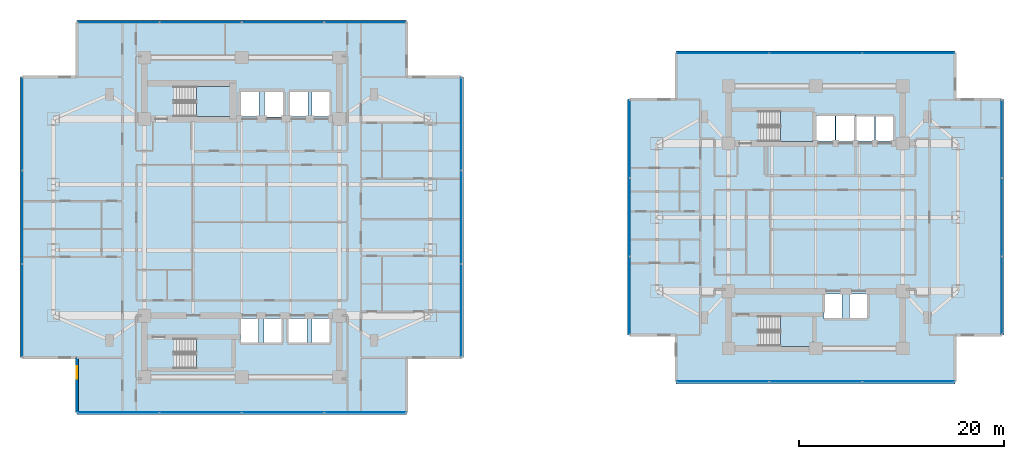
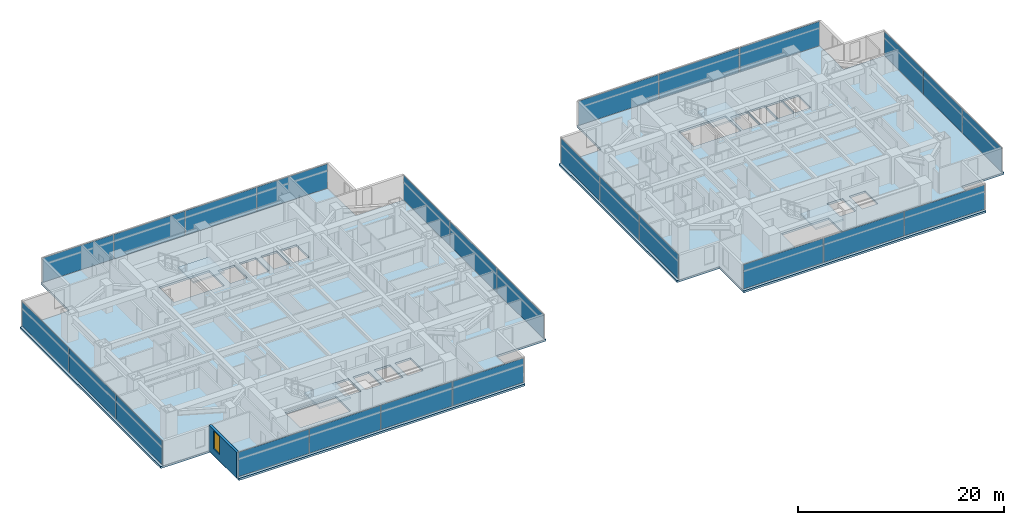
# One storey, part 11 of 24: 26 plates, 6 slabs, 1 wall, 1 window, 1 opening, 12 elements without a shape of their own.
"""IFC4 building model written with IfcOpenShell, lengths in metres."""

from ifc_helpers import new_model, si_unit, direction, frame, frame_2d, origin, origin_2d, place, context, subcontext, project, spatial, polyline, rectangle, outline, extrude, material, layer, layer_set, type_object, element, fill, aggregate, save


model = new_model("IFC4")

# Units and contexts
model_context = context("Model", 3, precision=1e-05, world=origin(), true_north=direction((0.0, 1.0)))
body_context = subcontext(model_context, "Body", "Model", "MODEL_VIEW")
ifc_project = project(units=[si_unit("LENGTHUNIT", "METRE"), si_unit("AREAUNIT", "SQUARE_METRE"), si_unit("VOLUMEUNIT", "CUBIC_METRE"), si_unit("PLANEANGLEUNIT", "RADIAN"), si_unit("MASSUNIT", "GRAM", prefix="KILO")], contexts=[model_context])

# Site, building, storey
site_placement = place(None, origin())
site = spatial("IfcSite", under=ifc_project, at=site_placement, CompositionType="ELEMENT")
building_placement = place(site_placement, origin())
building = spatial("IfcBuilding", under=site, at=building_placement, Name="Mirazonda Arch Towers", CompositionType="ELEMENT")
storey_placement = place(building_placement, frame((0.0, 0.0, 62.0)))
storey = spatial("IfcBuildingStorey", under=building, at=storey_placement, Name="L17", CompositionType="ELEMENT", Elevation=62.0)

# Curtain wall, plates
ifc_material_1 = material(Name="Anodised Aluminium and Low-E Glass", Category="aluminium")
curtain_wall_type = type_object("IfcCurtainWallType", Name="CW-HTL-UNIT", PredefinedType="NOTDEFINED", material=ifc_material_1)
curtain_wall_1_placement = place(storey_placement, origin())
curtain_wall_1 = element("IfcCurtainWall", 1, at=curtain_wall_1_placement, inside=storey, type_object=curtain_wall_type, Name="L17 T1 S Facade CW-L17-T1-S", PredefinedType="NOTDEFINED")
ifc_material_2 = material(Name="Insulated Low-E Solar Glass", Category="glass")
ifc_layer_1 = layer(ifc_material_2, 0.035888671875, Name="PAN-CW-HTL-UNIT")
ifc_layer_set_1 = layer_set([ifc_layer_1], Name="Insulated Low-E Solar Glass")
plate_type = type_object("IfcPlateType", Name="PAN-CW-HTL-UNIT", PredefinedType="CURTAIN_PANEL", material=ifc_layer_set_1)
plate_1_placement = place(storey_placement, frame((32.541259765625, 8.966064453125, 0.0751953125), z_axis=(0.0, 0.0, 1.0), x_axis=(-1.0, 0.0, 0.0)))
plate_1 = element("IfcPlate", 2, at=plate_1_placement, type_object=plate_type, Name="CW-112 panel 1.1", PredefinedType="CURTAIN_PANEL", context=body_context, shape_type="SweptSolid", body=[
    extrude(rectangle(XDim=7.927490234375, YDim=0.035888671875, at=origin_2d()), origin(), (0.0, 0.0, 1.0), 2.889892578125),
])
plate_2_placement = place(storey_placement, frame((24.52001953125, 8.966064453125, 0.0751953125), z_axis=(0.0, 0.0, 1.0), x_axis=(-1.0, 0.0, 0.0)))
plate_2 = element("IfcPlate", 3, at=plate_2_placement, type_object=plate_type, Name="CW-112 panel 2.1", PredefinedType="CURTAIN_PANEL", context=body_context, shape_type="SweptSolid", body=[
    extrude(rectangle(XDim=7.965087890625, YDim=0.035888671875, at=origin_2d()), origin(), (0.0, 0.0, 1.0), 2.889892578125),
])
plate_3_placement = place(storey_placement, frame((16.47998046875, 8.966064453125, 0.0751953125), z_axis=(0.0, 0.0, 1.0), x_axis=(-1.0, 0.0, 0.0)))
plate_3 = element("IfcPlate", 4, at=plate_3_placement, type_object=plate_type, Name="CW-112 panel 3.1", PredefinedType="CURTAIN_PANEL", context=body_context, shape_type="SweptSolid", body=[
    extrude(rectangle(XDim=7.965087890625, YDim=0.035888671875, at=origin_2d()), origin(), (0.0, 0.0, 1.0), 2.889892578125),
])
plate_4_placement = place(storey_placement, frame((8.458740234375, 8.966064453125, 0.0751953125), z_axis=(0.0, 0.0, 1.0), x_axis=(-1.0, 0.0, 0.0)))
plate_4 = element("IfcPlate", 5, at=plate_4_placement, type_object=plate_type, Name="CW-112 panel 4.1", PredefinedType="CURTAIN_PANEL", context=body_context, shape_type="SweptSolid", body=[
    extrude(rectangle(XDim=7.927490234375, YDim=0.035888671875, at=origin_2d()), origin(), (0.0, 0.0, 1.0), 2.889892578125),
])
aggregate(curtain_wall_1, [plate_1, plate_2, plate_3, plate_4])

curtain_wall_2_placement = place(storey_placement, origin())
curtain_wall_2 = element("IfcCurtainWall", 6, at=curtain_wall_2_placement, inside=storey, type_object=curtain_wall_type, Name="L17 T1 E Facade CW-L17-T1-E", PredefinedType="NOTDEFINED")
plate_5_placement = place(storey_placement, frame((41.919921875, 18.889404296875, 0.0751953125), z_axis=(0.0, 0.0, 1.0), x_axis=(0.0, 1.0, 0.0)))
plate_5 = element("IfcPlate", 7, at=plate_5_placement, type_object=plate_type, Name="CW-112 panel 1.1", PredefinedType="CURTAIN_PANEL", context=body_context, shape_type="SweptSolid", body=[
    extrude(rectangle(XDim=9.016845703125, YDim=0.035888671875, at=origin_2d()), origin(), (0.0, 0.0, 1.0), 2.889892578125),
])
plate_6_placement = place(storey_placement, frame((41.919921875, 28.0, 0.0751953125), z_axis=(0.0, 0.0, 1.0), x_axis=(0.0, 1.0, 0.0)))
plate_6 = element("IfcPlate", 8, at=plate_6_placement, type_object=plate_type, Name="CW-112 panel 2.1", PredefinedType="CURTAIN_PANEL", context=body_context, shape_type="SweptSolid", body=[
    extrude(rectangle(XDim=9.054443359375, YDim=0.035888671875, at=origin_2d()), origin(), (0.0, 0.0, 1.0), 2.889892578125),
])
plate_7_placement = place(storey_placement, frame((41.919921875, 37.110595703125, 0.0751953125), z_axis=(0.0, 0.0, 1.0), x_axis=(0.0, 1.0, 0.0)))
plate_7 = element("IfcPlate", 9, at=plate_7_placement, type_object=plate_type, Name="CW-112 panel 3.1", PredefinedType="CURTAIN_PANEL", context=body_context, shape_type="SweptSolid", body=[
    extrude(rectangle(XDim=9.016845703125, YDim=0.035888671875, at=origin_2d()), origin(), (0.0, 0.0, 1.0), 2.889892578125),
])
aggregate(curtain_wall_2, [plate_5, plate_6, plate_7])

curtain_wall_3_placement = place(storey_placement, origin())
curtain_wall_3 = element("IfcCurtainWall", 10, at=curtain_wall_3_placement, inside=storey, type_object=curtain_wall_type, Name="L17 T1 N Facade CW-L17-T1-N", PredefinedType="NOTDEFINED")
plate_8_placement = place(storey_placement, frame((8.458740234375, 47.033935546875, 0.0751953125), z_axis=(0.0, 0.0, 1.0), x_axis=(1.0, 0.0, 0.0)))
plate_8 = element("IfcPlate", 11, at=plate_8_placement, type_object=plate_type, Name="CW-112 panel 1.1", PredefinedType="CURTAIN_PANEL", context=body_context, shape_type="SweptSolid", body=[
    extrude(rectangle(XDim=7.927490234375, YDim=0.035888671875, at=origin_2d()), origin(), (0.0, 0.0, 1.0), 2.889892578125),
])
plate_9_placement = place(storey_placement, frame((16.47998046875, 47.033935546875, 0.0751953125), z_axis=(0.0, 0.0, 1.0), x_axis=(1.0, 0.0, 0.0)))
plate_9 = element("IfcPlate", 12, at=plate_9_placement, type_object=plate_type, Name="CW-112 panel 2.1", PredefinedType="CURTAIN_PANEL", context=body_context, shape_type="SweptSolid", body=[
    extrude(rectangle(XDim=7.965087890625, YDim=0.035888671875, at=origin_2d()), origin(), (0.0, 0.0, 1.0), 2.889892578125),
])
plate_10_placement = place(storey_placement, frame((24.52001953125, 47.033935546875, 0.0751953125), z_axis=(0.0, 0.0, 1.0), x_axis=(1.0, 0.0, 0.0)))
plate_10 = element("IfcPlate", 13, at=plate_10_placement, type_object=plate_type, Name="CW-112 panel 3.1", PredefinedType="CURTAIN_PANEL", context=body_context, shape_type="SweptSolid", body=[
    extrude(rectangle(XDim=7.965087890625, YDim=0.035888671875, at=origin_2d()), origin(), (0.0, 0.0, 1.0), 2.889892578125),
])
plate_11_placement = place(storey_placement, frame((32.541259765625, 47.033935546875, 0.0751953125), z_axis=(0.0, 0.0, 1.0), x_axis=(1.0, 0.0, 0.0)))
plate_11 = element("IfcPlate", 14, at=plate_11_placement, type_object=plate_type, Name="CW-112 panel 4.1", PredefinedType="CURTAIN_PANEL", context=body_context, shape_type="SweptSolid", body=[
    extrude(rectangle(XDim=7.927490234375, YDim=0.035888671875, at=origin_2d()), origin(), (0.0, 0.0, 1.0), 2.889892578125),
])
aggregate(curtain_wall_3, [plate_8, plate_9, plate_10, plate_11])

curtain_wall_4_placement = place(storey_placement, origin())
curtain_wall_4 = element("IfcCurtainWall", 15, at=curtain_wall_4_placement, inside=storey, type_object=curtain_wall_type, Name="L17 T1 W Facade CW-L17-T1-W", PredefinedType="NOTDEFINED")
plate_12_placement = place(storey_placement, frame((-0.919921875, 37.110595703125, 0.0751953125), z_axis=(0.0, 0.0, 1.0), x_axis=(0.0, -1.0, 0.0)))
plate_12 = element("IfcPlate", 16, at=plate_12_placement, type_object=plate_type, Name="CW-112 panel 1.1", PredefinedType="CURTAIN_PANEL", context=body_context, shape_type="SweptSolid", body=[
    extrude(rectangle(XDim=9.016845703125, YDim=0.035888671875, at=origin_2d()), origin(), (0.0, 0.0, 1.0), 2.889892578125),
])
plate_13_placement = place(storey_placement, frame((-0.919921875, 28.0, 0.0751953125), z_axis=(0.0, 0.0, 1.0), x_axis=(0.0, -1.0, 0.0)))
plate_13 = element("IfcPlate", 17, at=plate_13_placement, type_object=plate_type, Name="CW-112 panel 2.1", PredefinedType="CURTAIN_PANEL", context=body_context, shape_type="SweptSolid", body=[
    extrude(rectangle(XDim=9.054443359375, YDim=0.035888671875, at=origin_2d()), origin(), (0.0, 0.0, 1.0), 2.889892578125),
])
plate_14_placement = place(storey_placement, frame((-0.919921875, 18.889404296875, 0.0751953125), z_axis=(0.0, 0.0, 1.0), x_axis=(0.0, -1.0, 0.0)))
plate_14 = element("IfcPlate", 18, at=plate_14_placement, type_object=plate_type, Name="CW-112 panel 3.1", PredefinedType="CURTAIN_PANEL", context=body_context, shape_type="SweptSolid", body=[
    extrude(rectangle(XDim=9.016845703125, YDim=0.035888671875, at=origin_2d()), origin(), (0.0, 0.0, 1.0), 2.889892578125),
])
aggregate(curtain_wall_4, [plate_12, plate_13, plate_14])

curtain_wall_5_placement = place(storey_placement, origin())
curtain_wall_5 = element("IfcCurtainWall", 19, at=curtain_wall_5_placement, inside=storey, type_object=curtain_wall_type, Name="L17 T2 S Facade CW-L17-T2-S", PredefinedType="NOTDEFINED")
plate_15_placement = place(storey_placement, frame((85.55322265625, 11.97412109375, 0.0751953125), z_axis=(0.0, 0.0, 1.0), x_axis=(-1.0, 0.0, 0.0)))
plate_15 = element("IfcPlate", 20, at=plate_15_placement, type_object=plate_type, Name="CW-112 panel 1.1", PredefinedType="CURTAIN_PANEL", context=body_context, shape_type="SweptSolid", body=[
    extrude(rectangle(XDim=8.95947265625, YDim=0.035888671875, at=origin_2d()), origin(), (0.0, 0.0, 1.0), 2.889892578125),
])
plate_16_placement = place(storey_placement, frame((76.5, 11.97412109375, 0.0751953125), z_axis=(0.0, 0.0, 1.0), x_axis=(-1.0, 0.0, 0.0)))
plate_16 = element("IfcPlate", 21, at=plate_16_placement, type_object=plate_type, Name="CW-112 panel 2.1", PredefinedType="CURTAIN_PANEL", context=body_context, shape_type="SweptSolid", body=[
    extrude(rectangle(XDim=8.9970703125, YDim=0.035888671875, at=origin_2d()), origin(), (0.0, 0.0, 1.0), 2.889892578125),
])
plate_17_placement = place(storey_placement, frame((67.44677734375, 11.97412109375, 0.0751953125), z_axis=(0.0, 0.0, 1.0), x_axis=(-1.0, 0.0, 0.0)))
plate_17 = element("IfcPlate", 22, at=plate_17_placement, type_object=plate_type, Name="CW-112 panel 3.1", PredefinedType="CURTAIN_PANEL", context=body_context, shape_type="SweptSolid", body=[
    extrude(rectangle(XDim=8.95947265625, YDim=0.035888671875, at=origin_2d()), origin(), (0.0, 0.0, 1.0), 2.889892578125),
])
aggregate(curtain_wall_5, [plate_15, plate_16, plate_17])

curtain_wall_6_placement = place(storey_placement, origin())
curtain_wall_6 = element("IfcCurtainWall", 23, at=curtain_wall_6_placement, inside=storey, type_object=curtain_wall_type, Name="L17 T2 E Facade CW-L17-T2-E", PredefinedType="NOTDEFINED")
plate_18_placement = place(storey_placement, frame((94.654052734375, 20.365478515625, 0.0751953125), z_axis=(0.0, 0.0, 1.0), x_axis=(0.0, 1.0, 0.0)))
plate_18 = element("IfcPlate", 24, at=plate_18_placement, type_object=plate_type, Name="CW-112 panel 1.1", PredefinedType="CURTAIN_PANEL", context=body_context, shape_type="SweptSolid", body=[
    extrude(rectangle(XDim=7.540771484375, YDim=0.035888671875, at=origin_2d()), origin(), (0.0, 0.0, 1.0), 2.889892578125),
])
plate_19_placement = place(storey_placement, frame((94.654052734375, 28.0, 0.0751953125), z_axis=(0.0, 0.0, 1.0), x_axis=(0.0, 1.0, 0.0)))
plate_19 = element("IfcPlate", 25, at=plate_19_placement, type_object=plate_type, Name="CW-112 panel 2.1", PredefinedType="CURTAIN_PANEL", context=body_context, shape_type="SweptSolid", body=[
    extrude(rectangle(XDim=7.578369140625, YDim=0.035888671875, at=origin_2d()), origin(), (0.0, 0.0, 1.0), 2.889892578125),
])
plate_20_placement = place(storey_placement, frame((94.654052734375, 35.634521484375, 0.0751953125), z_axis=(0.0, 0.0, 1.0), x_axis=(0.0, 1.0, 0.0)))
plate_20 = element("IfcPlate", 26, at=plate_20_placement, type_object=plate_type, Name="CW-112 panel 3.1", PredefinedType="CURTAIN_PANEL", context=body_context, shape_type="SweptSolid", body=[
    extrude(rectangle(XDim=7.540771484375, YDim=0.035888671875, at=origin_2d()), origin(), (0.0, 0.0, 1.0), 2.889892578125),
])
aggregate(curtain_wall_6, [plate_18, plate_19, plate_20])

curtain_wall_7_placement = place(storey_placement, origin())
curtain_wall_7 = element("IfcCurtainWall", 27, at=curtain_wall_7_placement, inside=storey, type_object=curtain_wall_type, Name="L17 T2 N Facade CW-L17-T2-N", PredefinedType="NOTDEFINED")
plate_21_placement = place(storey_placement, frame((67.44677734375, 44.02587890625, 0.0751953125), z_axis=(0.0, 0.0, 1.0), x_axis=(1.0, 0.0, 0.0)))
plate_21 = element("IfcPlate", 28, at=plate_21_placement, type_object=plate_type, Name="CW-112 panel 1.1", PredefinedType="CURTAIN_PANEL", context=body_context, shape_type="SweptSolid", body=[
    extrude(rectangle(XDim=8.95947265625, YDim=0.035888671875, at=origin_2d()), origin(), (0.0, 0.0, 1.0), 2.889892578125),
])
plate_22_placement = place(storey_placement, frame((76.5, 44.02587890625, 0.0751953125), z_axis=(0.0, 0.0, 1.0), x_axis=(1.0, 0.0, 0.0)))
plate_22 = element("IfcPlate", 29, at=plate_22_placement, type_object=plate_type, Name="CW-112 panel 2.1", PredefinedType="CURTAIN_PANEL", context=body_context, shape_type="SweptSolid", body=[
    extrude(rectangle(XDim=8.9970703125, YDim=0.035888671875, at=origin_2d()), origin(), (0.0, 0.0, 1.0), 2.889892578125),
])
plate_23_placement = place(storey_placement, frame((85.55322265625, 44.02587890625, 0.0751953125), z_axis=(0.0, 0.0, 1.0), x_axis=(1.0, 0.0, 0.0)))
plate_23 = element("IfcPlate", 30, at=plate_23_placement, type_object=plate_type, Name="CW-112 panel 3.1", PredefinedType="CURTAIN_PANEL", context=body_context, shape_type="SweptSolid", body=[
    extrude(rectangle(XDim=8.95947265625, YDim=0.035888671875, at=origin_2d()), origin(), (0.0, 0.0, 1.0), 2.889892578125),
])
aggregate(curtain_wall_7, [plate_21, plate_22, plate_23])

curtain_wall_8_placement = place(storey_placement, origin())
curtain_wall_8 = element("IfcCurtainWall", 31, at=curtain_wall_8_placement, inside=storey, type_object=curtain_wall_type, Name="L17 T2 W Facade CW-L17-T2-W", PredefinedType="NOTDEFINED")
plate_24_placement = place(storey_placement, frame((58.345947265625, 35.634521484375, 0.0751953125), z_axis=(0.0, 0.0, 1.0), x_axis=(0.0, -1.0, 0.0)))
plate_24 = element("IfcPlate", 32, at=plate_24_placement, type_object=plate_type, Name="CW-112 panel 1.1", PredefinedType="CURTAIN_PANEL", context=body_context, shape_type="SweptSolid", body=[
    extrude(rectangle(XDim=7.540771484375, YDim=0.035888671875, at=origin_2d()), origin(), (0.0, 0.0, 1.0), 2.889892578125),
])
plate_25_placement = place(storey_placement, frame((58.345947265625, 28.0, 0.0751953125), z_axis=(0.0, 0.0, 1.0), x_axis=(0.0, -1.0, 0.0)))
plate_25 = element("IfcPlate", 33, at=plate_25_placement, type_object=plate_type, Name="CW-112 panel 2.1", PredefinedType="CURTAIN_PANEL", context=body_context, shape_type="SweptSolid", body=[
    extrude(rectangle(XDim=7.578369140625, YDim=0.035888671875, at=origin_2d()), origin(), (0.0, 0.0, 1.0), 2.889892578125),
])
plate_26_placement = place(storey_placement, frame((58.345947265625, 20.365478515625, 0.0751953125), z_axis=(0.0, 0.0, 1.0), x_axis=(0.0, -1.0, 0.0)))
plate_26 = element("IfcPlate", 34, at=plate_26_placement, type_object=plate_type, Name="CW-112 panel 3.1", PredefinedType="CURTAIN_PANEL", context=body_context, shape_type="SweptSolid", body=[
    extrude(rectangle(XDim=7.540771484375, YDim=0.035888671875, at=origin_2d()), origin(), (0.0, 0.0, 1.0), 2.889892578125),
])
aggregate(curtain_wall_8, [plate_24, plate_25, plate_26])

# Stair, slab
ifc_material_3 = material(Name="Concrete C40/50", Category="concrete")
stair_type = type_object("IfcStairType", Name="STAIR-CORE-1400", PredefinedType="HALF_TURN_STAIR", material=ifc_material_3)
stair_1_placement = place(storey_placement, origin())
stair_1 = element("IfcStair", 35, at=stair_1_placement, inside=storey, type_object=stair_type, Name="L17 Protected Exit Stair ST-T1N", PredefinedType="HALF_TURN_STAIR")
ifc_layer_2 = layer(ifc_material_3, 0.18994140625, Name="SLAB-LANDING-190")
ifc_layer_set_2 = layer_set([ifc_layer_2], Name="Concrete C40/50")
slab_type_1 = type_object("IfcSlabType", Name="SLAB-LANDING-190", PredefinedType="LANDING", material=ifc_layer_set_2)
slab_1_placement = place(storey_placement, frame((0.0, 0.0, 1.449951171875)))
slab_1 = element("IfcSlab", 36, at=slab_1_placement, type_object=slab_type_1, Name="ST-T1N landing 1", PredefinedType="LANDING", context=body_context, shape_type="SweptSolid", body=[
    extrude(outline(polyline([(16.090087890625, 37.820068359375), (19.60009765625, 37.820068359375), (19.60009765625, 40.760009765625), (16.090087890625, 40.760009765625), (16.090087890625, 37.820068359375)])), origin(), (0.0, 0.0, 1.0), 0.199951171875),
])
aggregate(stair_1, [slab_1])

stair_2_placement = place(storey_placement, origin())
stair_2 = element("IfcStair", 37, at=stair_2_placement, inside=storey, type_object=stair_type, Name="L17 Protected Exit Stair ST-T1S", PredefinedType="HALF_TURN_STAIR")
slab_2_placement = place(storey_placement, frame((0.0, 0.0, 1.449951171875)))
slab_2 = element("IfcSlab", 38, at=slab_2_placement, type_object=slab_type_1, Name="ST-T1S landing 1", PredefinedType="LANDING", context=body_context, shape_type="SweptSolid", body=[
    extrude(outline(polyline([(16.090087890625, 13.25), (19.60009765625, 13.25), (19.60009765625, 16.18994140625), (16.090087890625, 16.18994140625), (16.090087890625, 13.25)])), origin(), (0.0, 0.0, 1.0), 0.199951171875),
])
aggregate(stair_2, [slab_2])

stair_3_placement = place(storey_placement, origin())
stair_3 = element("IfcStair", 39, at=stair_3_placement, inside=storey, type_object=stair_type, Name="L17 Protected Exit Stair ST-T2N", PredefinedType="HALF_TURN_STAIR")
slab_3_placement = place(storey_placement, frame((0.0, 0.0, 1.449951171875)))
slab_3 = element("IfcSlab", 40, at=slab_3_placement, type_object=slab_type_1, Name="ST-T2N landing 1", PredefinedType="LANDING", context=body_context, shape_type="SweptSolid", body=[
    extrude(outline(polyline([(73.090087890625, 35.419921875), (76.22998046875, 35.419921875), (76.22998046875, 38.360107421875), (73.090087890625, 38.360107421875), (73.090087890625, 35.419921875)])), origin(), (0.0, 0.0, 1.0), 0.199951171875),
])
aggregate(stair_3, [slab_3])

stair_4_placement = place(storey_placement, origin())
stair_4 = element("IfcStair", 41, at=stair_4_placement, inside=storey, type_object=stair_type, Name="L17 Protected Exit Stair ST-T2S", PredefinedType="HALF_TURN_STAIR")
slab_4_placement = place(storey_placement, frame((0.0, 0.0, 1.449951171875)))
slab_4 = element("IfcSlab", 42, at=slab_4_placement, type_object=slab_type_1, Name="ST-T2S landing 1", PredefinedType="LANDING", context=body_context, shape_type="SweptSolid", body=[
    extrude(outline(polyline([(73.090087890625, 15.419921875), (76.22998046875, 15.419921875), (76.22998046875, 18.360107421875), (73.090087890625, 18.360107421875), (73.090087890625, 15.419921875)])), origin(), (0.0, 0.0, 1.0), 0.199951171875),
])
aggregate(stair_4, [slab_4])

# Slabs
ifc_layer_3 = layer(ifc_material_3, 0.239990234375, Name="SLAB-TWR-240")
ifc_layer_set_3 = layer_set([ifc_layer_3], Name="Concrete C40/50")
slab_type_2 = type_object("IfcSlabType", Name="SLAB-TWR-240", PredefinedType="FLOOR", material=ifc_layer_set_3)
slab_5_placement = place(storey_placement, frame((0.0, 0.0, -0.239990234375)))
element("IfcSlab", 43, at=slab_5_placement, inside=storey, type_object=slab_type_2, Name="L17 Tower 1 Floor Slab", PredefinedType="FLOOR", context=body_context, shape_type="SweptSolid", body=[
    extrude(outline(polyline([(4.419921875, 8.74609375), (36.580078125, 8.74609375), (36.580078125, 14.305908203125), (42.139892578125, 14.305908203125), (42.139892578125, 41.694091796875), (36.580078125, 41.694091796875), (36.580078125, 47.25390625), (4.419921875, 47.25390625), (4.419921875, 41.694091796875), (-1.139892578125, 41.694091796875), (-1.139892578125, 14.305908203125), (4.419921875, 14.305908203125), (4.419921875, 8.74609375)]), holes=[polyline([(29.139892578125, 18.139892578125), (29.139892578125, 15.659912109375), (27.360107421875, 15.659912109375), (27.360107421875, 18.139892578125), (29.139892578125, 18.139892578125)]), polyline([(29.139892578125, 40.340087890625), (29.139892578125, 37.860107421875), (27.360107421875, 37.860107421875), (27.360107421875, 40.340087890625), (29.139892578125, 40.340087890625)]), polyline([(25.159912109375, 40.340087890625), (26.93994140625, 40.340087890625), (26.93994140625, 37.860107421875), (25.159912109375, 37.860107421875), (25.159912109375, 40.340087890625)]), polyline([(26.840087890625, 18.139892578125), (26.840087890625, 15.659912109375), (25.06005859375, 15.659912109375), (25.06005859375, 18.139892578125), (26.840087890625, 18.139892578125)]), polyline([(22.7099609375, 40.389892578125), (24.590087890625, 40.389892578125), (24.590087890625, 37.81005859375), (22.7099609375, 37.81005859375), (22.7099609375, 40.389892578125)]), polyline([(22.659912109375, 18.139892578125), (24.43994140625, 18.139892578125), (24.43994140625, 15.659912109375), (22.659912109375, 15.659912109375), (22.659912109375, 18.139892578125)]), polyline([(20.31005859375, 40.340087890625), (22.18994140625, 40.340087890625), (22.18994140625, 37.860107421875), (20.31005859375, 37.860107421875), (20.31005859375, 40.340087890625)]), polyline([(20.360107421875, 18.139892578125), (22.139892578125, 18.139892578125), (22.139892578125, 15.659912109375), (20.360107421875, 15.659912109375), (20.360107421875, 18.139892578125)]), polyline([(13.925048828125, 40.760009765625), (19.60009765625, 40.760009765625), (19.60009765625, 37.820068359375), (13.925048828125, 37.820068359375), (13.925048828125, 40.760009765625)]), polyline([(13.925048828125, 13.25), (13.925048828125, 16.18994140625), (19.60009765625, 16.18994140625), (19.60009765625, 13.25), (13.925048828125, 13.25)])]), origin(), (0.0, 0.0, 1.0), 0.239990234375),
])
slab_6_placement = place(storey_placement, frame((0.0, 0.0, -0.239990234375)))
element("IfcSlab", 44, at=slab_6_placement, inside=storey, type_object=slab_type_2, Name="L17 Tower 2 Floor Slab", PredefinedType="FLOOR", context=body_context, shape_type="SweptSolid", body=[
    extrude(outline(polyline([(62.89208984375, 11.754150390625), (90.10791015625, 11.754150390625), (90.10791015625, 16.52001953125), (94.8740234375, 16.52001953125), (94.8740234375, 39.47998046875), (90.10791015625, 39.47998046875), (90.10791015625, 44.245849609375), (62.89208984375, 44.245849609375), (62.89208984375, 39.47998046875), (58.1259765625, 39.47998046875), (58.1259765625, 16.52001953125), (62.89208984375, 16.52001953125), (62.89208984375, 11.754150390625)]), holes=[polyline([(82.330078125, 37.93994140625), (84.110107421875, 37.93994140625), (84.110107421875, 35.4599609375), (82.330078125, 35.4599609375), (82.330078125, 37.93994140625)]), polyline([(80.449951171875, 37.93994140625), (82.22998046875, 37.93994140625), (82.22998046875, 35.4599609375), (80.449951171875, 35.4599609375), (80.449951171875, 37.93994140625)]), polyline([(79.81005859375, 20.5400390625), (81.590087890625, 20.5400390625), (81.590087890625, 18.06005859375), (79.81005859375, 18.06005859375), (79.81005859375, 20.5400390625)]), polyline([(78.47998046875, 37.989990234375), (80.360107421875, 37.989990234375), (80.360107421875, 35.409912109375), (78.47998046875, 35.409912109375), (78.47998046875, 37.989990234375)]), polyline([(77.31005859375, 20.5400390625), (79.090087890625, 20.5400390625), (79.090087890625, 18.06005859375), (77.31005859375, 18.06005859375), (77.31005859375, 20.5400390625)]), polyline([(76.510009765625, 37.93994140625), (78.389892578125, 37.93994140625), (78.389892578125, 35.4599609375), (76.510009765625, 35.4599609375), (76.510009765625, 37.93994140625)]), polyline([(70.925048828125, 15.419921875), (70.925048828125, 18.360107421875), (76.22998046875, 18.360107421875), (76.22998046875, 15.419921875), (70.925048828125, 15.419921875)]), polyline([(70.925048828125, 35.419921875), (70.925048828125, 38.360107421875), (76.22998046875, 38.360107421875), (76.22998046875, 35.419921875), (70.925048828125, 35.419921875)])]), origin(), (0.0, 0.0, 1.0), 0.239990234375),
])

# Wall, opening, window
ifc_material_4 = material(Name="Precast Concrete C40/50", Category="concrete")
ifc_layer_4 = layer(ifc_material_4, 0.280029296875, Name="WALL-EXT-WALL-280")
ifc_layer_set_4 = layer_set([ifc_layer_4], Name="Precast Concrete C40/50")
wall_type = type_object("IfcWallType", Name="WALL-EXT-WALL-280", PredefinedType="SOLIDWALL", material=ifc_layer_set_4)
wall_placement = place(storey_placement, frame((4.419921875, 14.305908203125, 0.0), z_axis=(0.0, 0.0, 1.0), x_axis=(0.0, -1.0, 0.0)))
wall = element("IfcWall", 45, at=wall_placement, inside=storey, type_object=wall_type, Name="L17 T1 Notched SW Corner Wall WL-L17-T1-CSW", PredefinedType="SOLIDWALL", context=body_context, shape_type="SweptSolid", body=[
    extrude(rectangle(XDim=5.33984375, YDim=0.280029296875, at=frame_2d((2.669921875, 0.0))), origin(), (0.0, 0.0, 1.0), 3.0400390625),
])
opening_placement = place(wall_placement, frame((0.85009765625, 0.0, 0.7900390625)))
opening = element("IfcOpeningElement", 46, at=opening_placement, cuts=wall, Name="Opening WN-122", PredefinedType="OPENING", context=body_context, shape_type="SweptSolid", body=[
    extrude(rectangle(XDim=1.199951171875, YDim=2.10009765625, at=frame_2d((0.60009765625, 1.050048828125))), frame((0.0, 0.14990234375, 0.0), z_axis=(0.0, -1.0, 0.0), x_axis=(1.0, 0.0, 0.0)), (0.0, 0.0, 1.0), 0.300048828125),
])
window_type = type_object("IfcWindowType", Name="WIN-HTL-1200x2100", PartitioningType="SINGLE_PANEL", PredefinedType="WINDOW", material=ifc_material_2)
window_placement = place(opening_placement, origin())
window = element("IfcWindow", 47, at=window_placement, inside=storey, type_object=window_type, Name="L17 Punched Facade Window WN-L17-T1-CSW", OverallHeight=2.10009765625, OverallWidth=1.199951171875, PartitioningType="SINGLE_PANEL", PredefinedType="WINDOW", context=body_context, shape_type="SweptSolid", body=[
    extrude(rectangle(XDim=1.199951171875, YDim=2.10009765625, at=frame_2d((0.60009765625, 1.050048828125))), frame((0.0, 0.030029296875, 0.0), z_axis=(0.0, -1.0, 0.0), x_axis=(1.0, 0.0, 0.0)), (0.0, 0.0, 1.0), 0.06005859375),
])
fill(opening, window)

save(model, "model.ifc")
